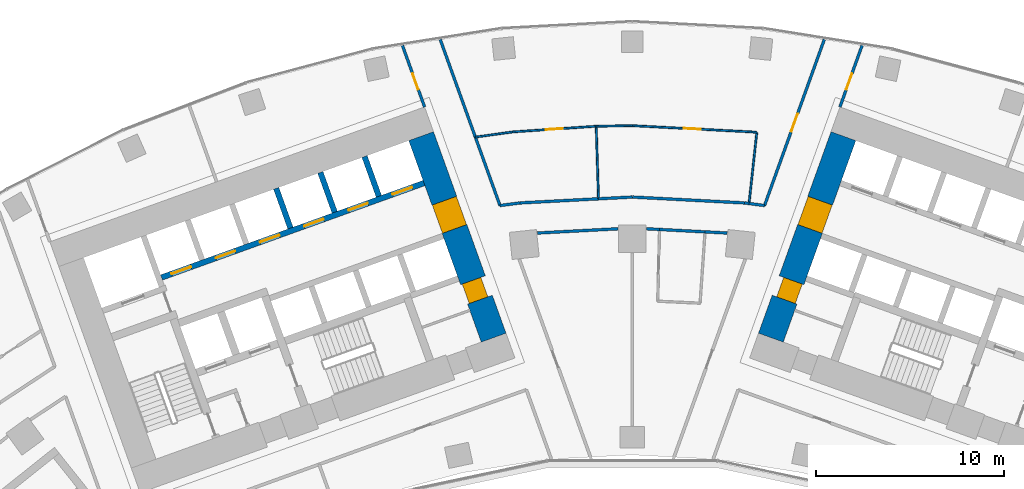
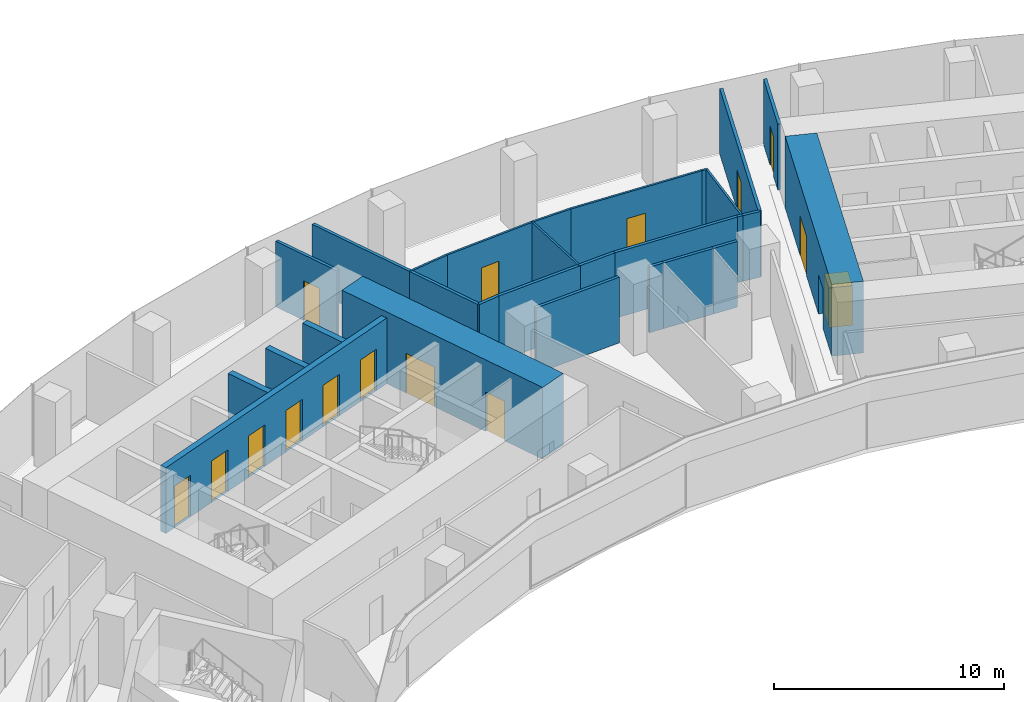
# One storey, part 16 of 21: 28 walls, 15 doors, 15 openings.
"""IFC4 building model written with IfcOpenShell, lengths in metres."""

from ifc_helpers import new_model, si_unit, direction, frame, frame_2d, origin, place, context, subcontext, project, spatial, rectangle, extrude, material, layer, layer_set, type_object, element, fill, save


model = new_model("IFC4")

# Units and contexts
model_context = context("Model", 3, precision=1e-05, world=origin(), true_north=direction((0.0, 1.0)))
body_context = subcontext(model_context, "Body", "Model", "MODEL_VIEW")
ifc_project = project(units=[si_unit("LENGTHUNIT", "METRE"), si_unit("AREAUNIT", "SQUARE_METRE"), si_unit("VOLUMEUNIT", "CUBIC_METRE"), si_unit("PLANEANGLEUNIT", "RADIAN"), si_unit("MASSUNIT", "GRAM", prefix="KILO")], contexts=[model_context])

# Site, building, storey
site_placement = place(None, origin())
site = spatial("IfcSite", under=ifc_project, at=site_placement, CompositionType="ELEMENT")
building_placement = place(site_placement, origin())
building = spatial("IfcBuilding", under=site, at=building_placement, Name="Stone Belt Terrace Tower", CompositionType="ELEMENT")
storey_placement = place(building_placement, frame((0.0, 0.0, 90.800048828125)))
storey = spatial("IfcBuildingStorey", under=building, at=storey_placement, Name="L21", CompositionType="ELEMENT", Elevation=90.800048828125)

# Wall, openings, doors
ifc_material_1 = material(Name="Concrete B80", Category="concrete")
ifc_layer_1 = layer(ifc_material_1, 1.39990234375)
ifc_layer_set_1 = layer_set([ifc_layer_1], Name="Core wall 1400 B80")
wall_type_1 = type_object("IfcWallType", Name="Core wall 1400 B80", PredefinedType="SHEAR", material=ifc_layer_set_1)
wall_1_placement = place(storey_placement, frame((-7.379150390625, 49.73974609375, 0.0), z_axis=(0.0, 0.0, 1.0), x_axis=(-0.338625431531, 0.940921259788, 0.0)))
wall_1 = element("IfcWall", 1, at=wall_1_placement, inside=storey, type_object=wall_type_1, Name="Core A wall end_b L21", PredefinedType="SHEAR", context=body_context, shape_type="SweptSolid", body=[
    extrude(rectangle(XDim=11.400146484375, YDim=1.39990234375, at=frame_2d((5.7001953125, 0.0))), origin(), (0.0, 0.0, 1.0), 3.800048828125),
])
opening_1_placement = place(wall_1_placement, frame((6.14990234375, 0.0, 0.0)))
opening_1 = element("IfcOpeningElement", 2, at=opening_1_placement, cuts=wall_1, Name="Opening L21-C02", PredefinedType="OPENING", context=body_context, shape_type="SweptSolid", body=[
    extrude(rectangle(XDim=1.60009765625, YDim=2.10009765625, at=frame_2d((0.800048828125, 1.050048828125))), frame((0.0, 0.7099609375, 0.0), z_axis=(0.0, -1.0, 0.0), x_axis=(1.0, 0.0, 0.0)), (0.0, 0.0, 1.0), 1.419921875),
])
opening_2_placement = place(wall_1_placement, frame((2.14990234375, 0.0, 0.0)))
opening_2 = element("IfcOpeningElement", 3, at=opening_2_placement, cuts=wall_1, Name="Opening L21-C08", PredefinedType="OPENING", context=body_context, shape_type="SweptSolid", body=[
    extrude(rectangle(XDim=1.10009765625, YDim=2.10009765625, at=frame_2d((0.550048828125, 1.050048828125))), frame((0.0, 0.7099609375, 0.0), z_axis=(0.0, -1.0, 0.0), x_axis=(1.0, 0.0, 0.0)), (0.0, 0.0, 1.0), 1.419921875),
])
ifc_material_2 = material(Name="Timber door leaf", Category="wood")
door_type_1 = type_object("IfcDoorType", Name="Core room door 1100", OperationType="SINGLE_SWING_LEFT", PredefinedType="DOOR", material=ifc_material_2)
door_1_placement = place(opening_2_placement, origin())
door_1 = element("IfcDoor", 4, at=door_1_placement, inside=storey, type_object=door_type_1, Name="Door to Accessible WC core A", OperationType="SINGLE_SWING_LEFT", OverallHeight=2.10009765625, OverallWidth=1.10009765625, PredefinedType="DOOR", context=body_context, shape_type="SweptSolid", body=[
    extrude(rectangle(XDim=1.10009765625, YDim=2.10009765625, at=frame_2d((0.550048828125, 1.050048828125))), frame((0.0, 0.60498046875, 0.0), z_axis=(0.0, -1.0, 0.0), x_axis=(1.0, 0.0, 0.0)), (0.0, 0.0, 1.0), 1.050048828125),
])
fill(opening_2, door_1)
ifc_material_3 = material(Name="Glazed aluminium door leaf", Category="aluminium")
door_type_2 = type_object("IfcDoorType", Name="Lift lobby entrance door 1600", OperationType="DOUBLE_DOOR_SINGLE_SWING", PredefinedType="DOOR", material=ifc_material_3)
door_2_placement = place(opening_1_placement, origin())
door_2 = element("IfcDoor", 5, at=door_2_placement, inside=storey, type_object=door_type_2, Name="Lift lobby entrance door core A", OperationType="DOUBLE_DOOR_SINGLE_SWING", OverallHeight=2.10009765625, OverallWidth=1.60009765625, PredefinedType="DOOR", context=body_context, shape_type="SweptSolid", body=[
    extrude(rectangle(XDim=1.60009765625, YDim=2.10009765625, at=frame_2d((0.800048828125, 1.050048828125))), frame((0.0, 0.68017578125, 0.0), z_axis=(0.0, -1.0, 0.0), x_axis=(1.0, 0.0, 0.0)), (0.0, 0.0, 1.0), 1.360107421875),
])
fill(opening_1, door_2)

wall_2_placement = place(storey_placement, frame((7.379150390625, 49.73974609375, 0.0), z_axis=(0.0, 0.0, 1.0), x_axis=(0.338625431531, 0.940921259788, 0.0)))
wall_2 = element("IfcWall", 6, at=wall_2_placement, inside=storey, type_object=wall_type_1, Name="Core B wall end_a L21", PredefinedType="SHEAR", context=body_context, shape_type="SweptSolid", body=[
    extrude(rectangle(XDim=11.400146484375, YDim=1.39990234375, at=frame_2d((5.7001953125, 0.0))), origin(), (0.0, 0.0, 1.0), 3.800048828125),
])
opening_3_placement = place(wall_2_placement, frame((6.14990234375, 0.0, 0.0)))
opening_3 = element("IfcOpeningElement", 7, at=opening_3_placement, cuts=wall_2, Name="Opening L21-C11", PredefinedType="OPENING", context=body_context, shape_type="SweptSolid", body=[
    extrude(rectangle(XDim=1.60009765625, YDim=2.10009765625, at=frame_2d((0.800048828125, 1.050048828125))), frame((0.0, 0.7099609375, 0.0), z_axis=(0.0, -1.0, 0.0), x_axis=(1.0, 0.0, 0.0)), (0.0, 0.0, 1.0), 1.419921875),
])
opening_4_placement = place(wall_2_placement, frame((2.14990234375, 0.0, 0.0)))
opening_4 = element("IfcOpeningElement", 8, at=opening_4_placement, cuts=wall_2, Name="Opening L21-C17", PredefinedType="OPENING", context=body_context, shape_type="SweptSolid", body=[
    extrude(rectangle(XDim=1.10009765625, YDim=2.10009765625, at=frame_2d((0.550048828125, 1.050048828125))), frame((0.0, 0.7099609375, 0.0), z_axis=(0.0, -1.0, 0.0), x_axis=(1.0, 0.0, 0.0)), (0.0, 0.0, 1.0), 1.419921875),
])
door_3_placement = place(opening_4_placement, origin())
door_3 = element("IfcDoor", 9, at=door_3_placement, inside=storey, type_object=door_type_1, Name="Door to Accessible WC core B", OperationType="SINGLE_SWING_RIGHT", OverallHeight=2.10009765625, OverallWidth=1.10009765625, PredefinedType="DOOR", context=body_context, shape_type="SweptSolid", body=[
    extrude(rectangle(XDim=1.10009765625, YDim=2.10009765625, at=frame_2d((0.550048828125, 1.050048828125))), frame((0.0, 0.44482421875, 0.0), z_axis=(0.0, -1.0, 0.0), x_axis=(1.0, 0.0, 0.0)), (0.0, 0.0, 1.0), 1.050048828125),
])
fill(opening_4, door_3)
door_4_placement = place(opening_3_placement, origin())
door_4 = element("IfcDoor", 10, at=door_4_placement, inside=storey, type_object=door_type_2, Name="Lift lobby entrance door core B", OperationType="DOUBLE_DOOR_SINGLE_SWING", OverallHeight=2.10009765625, OverallWidth=1.60009765625, PredefinedType="DOOR", context=body_context, shape_type="SweptSolid", body=[
    extrude(rectangle(XDim=1.60009765625, YDim=2.10009765625, at=frame_2d((0.800048828125, 1.050048828125))), frame((0.0, 0.68017578125, 0.0), z_axis=(0.0, -1.0, 0.0), x_axis=(1.0, 0.0, 0.0)), (0.0, 0.0, 1.0), 1.360107421875),
])
fill(opening_3, door_4)

ifc_layer_2 = layer(ifc_material_1, 0.300048828125)
ifc_layer_set_2 = layer_set([ifc_layer_2], Name="Lift shaft wall 300")
wall_type_2 = type_object("IfcWallType", Name="Lift shaft wall 300", PredefinedType="SHEAR", material=ifc_layer_set_2)
wall_3_placement = place(storey_placement, frame((-25.05810546875, 52.9423828125, 0.0), z_axis=(0.0, 0.0, 1.0), x_axis=(0.940918215764, 0.338633889685, 0.0)))
wall_3 = element("IfcWall", 11, at=wall_3_placement, inside=storey, type_object=wall_type_2, Name="Core A wall", PredefinedType="SHEAR", context=body_context, shape_type="SweptSolid", body=[
    extrude(rectangle(XDim=14.850341796875, YDim=0.300048828125, at=frame_2d((7.42529296875, 0.0))), origin(), (0.0, 0.0, 1.0), 3.47998046875),
])
opening_5_placement = place(wall_3_placement, frame((0.570068359375, 0.0, 0.0)))
opening_5 = element("IfcOpeningElement", 12, at=opening_5_placement, cuts=wall_3, Name="Opening L21-LD01", PredefinedType="OPENING", context=body_context, shape_type="SweptSolid", body=[
    extrude(rectangle(XDim=1.10009765625, YDim=2.199951171875, at=frame_2d((0.550048828125, 1.10009765625))), frame((0.0, 0.159912109375, 0.0), z_axis=(0.0, -1.0, 0.0), x_axis=(1.0, 0.0, 0.0)), (0.0, 0.0, 1.0), 0.320068359375),
])
opening_6_placement = place(wall_3_placement, frame((3.070068359375, 0.0, 0.0)))
opening_6 = element("IfcOpeningElement", 13, at=opening_6_placement, cuts=wall_3, Name="Opening L21-LD02", PredefinedType="OPENING", context=body_context, shape_type="SweptSolid", body=[
    extrude(rectangle(XDim=1.10009765625, YDim=2.199951171875, at=frame_2d((0.550048828125, 1.10009765625))), frame((0.0, 0.159912109375, 0.0), z_axis=(0.0, -1.0, 0.0), x_axis=(1.0, 0.0, 0.0)), (0.0, 0.0, 1.0), 0.320068359375),
])
opening_7_placement = place(wall_3_placement, frame((5.570068359375, 0.0, 0.0)))
opening_7 = element("IfcOpeningElement", 14, at=opening_7_placement, cuts=wall_3, Name="Opening L21-LD03", PredefinedType="OPENING", context=body_context, shape_type="SweptSolid", body=[
    extrude(rectangle(XDim=1.10009765625, YDim=2.199951171875, at=frame_2d((0.550048828125, 1.10009765625))), frame((0.0, 0.159912109375, 0.0), z_axis=(0.0, -1.0, 0.0), x_axis=(1.0, 0.0, 0.0)), (0.0, 0.0, 1.0), 0.320068359375),
])
opening_8_placement = place(wall_3_placement, frame((8.070068359375, 0.0, 0.0)))
opening_8 = element("IfcOpeningElement", 15, at=opening_8_placement, cuts=wall_3, Name="Opening L21-LD04", PredefinedType="OPENING", context=body_context, shape_type="SweptSolid", body=[
    extrude(rectangle(XDim=1.10009765625, YDim=2.199951171875, at=frame_2d((0.550048828125, 1.10009765625))), frame((0.0, 0.159912109375, 0.0), z_axis=(0.0, -1.0, 0.0), x_axis=(1.0, 0.0, 0.0)), (0.0, 0.0, 1.0), 0.320068359375),
])
opening_9_placement = place(wall_3_placement, frame((10.570068359375, 0.0, 0.0)))
opening_9 = element("IfcOpeningElement", 16, at=opening_9_placement, cuts=wall_3, Name="Opening L21-LD05", PredefinedType="OPENING", context=body_context, shape_type="SweptSolid", body=[
    extrude(rectangle(XDim=1.10009765625, YDim=2.199951171875, at=frame_2d((0.550048828125, 1.10009765625))), frame((0.0, 0.159912109375, 0.0), z_axis=(0.0, -1.0, 0.0), x_axis=(1.0, 0.0, 0.0)), (0.0, 0.0, 1.0), 0.320068359375),
])
opening_10_placement = place(wall_3_placement, frame((13.070068359375, 0.0, 0.0)))
opening_10 = element("IfcOpeningElement", 17, at=opening_10_placement, cuts=wall_3, Name="Opening L21-LD06", PredefinedType="OPENING", context=body_context, shape_type="SweptSolid", body=[
    extrude(rectangle(XDim=1.10009765625, YDim=2.199951171875, at=frame_2d((0.550048828125, 1.10009765625))), frame((0.0, 0.159912109375, 0.0), z_axis=(0.0, -1.0, 0.0), x_axis=(1.0, 0.0, 0.0)), (0.0, 0.0, 1.0), 0.320068359375),
])
ifc_material_4 = material(Name="Stainless steel door leaf", Category="steel")
door_type_3 = type_object("IfcDoorType", Name="Landing door 1100", OperationType="SLIDING_TO_LEFT", PredefinedType="DOOR", material=ifc_material_4)
door_5_placement = place(opening_5_placement, origin())
door_5 = element("IfcDoor", 18, at=door_5_placement, inside=storey, type_object=door_type_3, Name="Landing door LR1 core A", OperationType="SLIDING_TO_LEFT", OverallHeight=2.199951171875, OverallWidth=1.10009765625, PredefinedType="DOOR", context=body_context, shape_type="SweptSolid", body=[
    extrude(rectangle(XDim=1.10009765625, YDim=2.199951171875, at=frame_2d((0.550048828125, 1.10009765625))), frame((0.0, 0.02490234375, 0.0), z_axis=(0.0, -1.0, 0.0), x_axis=(1.0, 0.0, 0.0)), (0.0, 0.0, 1.0), 0.050048828125),
])
fill(opening_5, door_5)
door_6_placement = place(opening_6_placement, origin())
door_6 = element("IfcDoor", 19, at=door_6_placement, inside=storey, type_object=door_type_3, Name="Landing door LR2 core A", OperationType="SLIDING_TO_LEFT", OverallHeight=2.199951171875, OverallWidth=1.10009765625, PredefinedType="DOOR", context=body_context, shape_type="SweptSolid", body=[
    extrude(rectangle(XDim=1.10009765625, YDim=2.199951171875, at=frame_2d((0.550048828125, 1.10009765625))), frame((0.0, 0.02490234375, 0.0), z_axis=(0.0, -1.0, 0.0), x_axis=(1.0, 0.0, 0.0)), (0.0, 0.0, 1.0), 0.050048828125),
])
fill(opening_6, door_6)
door_7_placement = place(opening_7_placement, origin())
door_7 = element("IfcDoor", 20, at=door_7_placement, inside=storey, type_object=door_type_3, Name="Landing door LR3 core A", OperationType="SLIDING_TO_LEFT", OverallHeight=2.199951171875, OverallWidth=1.10009765625, PredefinedType="DOOR", context=body_context, shape_type="SweptSolid", body=[
    extrude(rectangle(XDim=1.10009765625, YDim=2.199951171875, at=frame_2d((0.550048828125, 1.10009765625))), frame((0.0, 0.02490234375, 0.0), z_axis=(0.0, -1.0, 0.0), x_axis=(1.0, 0.0, 0.0)), (0.0, 0.0, 1.0), 0.050048828125),
])
fill(opening_7, door_7)
door_8_placement = place(opening_8_placement, origin())
door_8 = element("IfcDoor", 21, at=door_8_placement, inside=storey, type_object=door_type_3, Name="Landing door LR4 core A", OperationType="SLIDING_TO_LEFT", OverallHeight=2.199951171875, OverallWidth=1.10009765625, PredefinedType="DOOR", context=body_context, shape_type="SweptSolid", body=[
    extrude(rectangle(XDim=1.10009765625, YDim=2.199951171875, at=frame_2d((0.550048828125, 1.10009765625))), frame((0.0, 0.02490234375, 0.0), z_axis=(0.0, -1.0, 0.0), x_axis=(1.0, 0.0, 0.0)), (0.0, 0.0, 1.0), 0.050048828125),
])
fill(opening_8, door_8)
door_9_placement = place(opening_9_placement, origin())
door_9 = element("IfcDoor", 22, at=door_9_placement, inside=storey, type_object=door_type_3, Name="Landing door LR5 core A", OperationType="SLIDING_TO_LEFT", OverallHeight=2.199951171875, OverallWidth=1.10009765625, PredefinedType="DOOR", context=body_context, shape_type="SweptSolid", body=[
    extrude(rectangle(XDim=1.10009765625, YDim=2.199951171875, at=frame_2d((0.550048828125, 1.10009765625))), frame((0.0, 0.02490234375, 0.0), z_axis=(0.0, -1.0, 0.0), x_axis=(1.0, 0.0, 0.0)), (0.0, 0.0, 1.0), 0.050048828125),
])
fill(opening_9, door_9)
door_10_placement = place(opening_10_placement, origin())
door_10 = element("IfcDoor", 23, at=door_10_placement, inside=storey, type_object=door_type_3, Name="Landing door LR6 core A", OperationType="SLIDING_TO_LEFT", OverallHeight=2.199951171875, OverallWidth=1.10009765625, PredefinedType="DOOR", context=body_context, shape_type="SweptSolid", body=[
    extrude(rectangle(XDim=1.10009765625, YDim=2.199951171875, at=frame_2d((0.550048828125, 1.10009765625))), frame((0.0, 0.02490234375, 0.0), z_axis=(0.0, -1.0, 0.0), x_axis=(1.0, 0.0, 0.0)), (0.0, 0.0, 1.0), 0.050048828125),
])
fill(opening_10, door_10)

# Walls
wall_4_placement = place(storey_placement, frame((-18.193115234375, 55.572509765625, 0.0), z_axis=(0.0, 0.0, 1.0), x_axis=(-0.338535034312, 0.940953787677, 0.0)))
element("IfcWall", 24, at=wall_4_placement, inside=storey, type_object=wall_type_2, Name="Core A wall", PredefinedType="SHEAR", context=body_context, shape_type="SweptSolid", body=[
    extrude(rectangle(XDim=2.25, YDim=0.300048828125, at=frame_2d((1.125, 0.0))), origin(), (0.0, 0.0, 1.0), 3.47998046875),
])
wall_5_placement = place(storey_placement, frame((-15.8408203125, 56.419189453125, 0.0), z_axis=(0.0, 0.0, 1.0), x_axis=(-0.338569601369, 0.940941350472, 0.0)))
element("IfcWall", 25, at=wall_5_placement, inside=storey, type_object=wall_type_2, Name="Core A wall", PredefinedType="SHEAR", context=body_context, shape_type="SweptSolid", body=[
    extrude(rectangle(XDim=2.249755859375, YDim=0.300048828125, at=frame_2d((1.125, 0.0))), origin(), (0.0, 0.0, 1.0), 3.47998046875),
])
wall_6_placement = place(storey_placement, frame((-13.48828125, 57.265625, 0.0), z_axis=(0.0, 0.0, 1.0), x_axis=(-0.338631098537, 0.940919220286, 0.0)))
element("IfcWall", 26, at=wall_6_placement, inside=storey, type_object=wall_type_2, Name="Core A wall", PredefinedType="SHEAR", context=body_context, shape_type="SweptSolid", body=[
    extrude(rectangle(XDim=2.250244140625, YDim=0.300048828125, at=frame_2d((1.125, 0.0))), origin(), (0.0, 0.0, 1.0), 3.47998046875),
])

# Wall, opening, door
ifc_material_5 = material(Name="Gypsum board partition")
ifc_layer_3 = layer(ifc_material_5, 0.10009765625)
ifc_layer_set_3 = layer_set([ifc_layer_3], Name="PARTITION 100")
wall_type_3 = type_object("IfcWallType", Name="PARTITION 100", PredefinedType="PARTITIONING", material=ifc_layer_set_3)
wall_7_placement = place(storey_placement, frame((-1.9189453125, 60.9951171875, 0.0), z_axis=(0.0, 0.0, 1.0), x_axis=(-0.997682007636, -0.068048597631, 0.0)))
wall_7 = element("IfcWall", 27, at=wall_7_placement, inside=storey, type_object=wall_type_3, Name="L21/wall/i093", PredefinedType="PARTITIONING", context=body_context, shape_type="SweptSolid", body=[
    extrude(rectangle(XDim=4.47021484375, YDim=0.10009765625, at=frame_2d((2.235107421875, 0.0))), origin(), (0.0, 0.0, 1.0), 3.47998046875),
])
opening_11_placement = place(wall_7_placement, frame((1.78515625, 0.0, 0.0)))
opening_11 = element("IfcOpeningElement", 28, at=opening_11_placement, cuts=wall_7, Name="Opening D-B2-30", PredefinedType="OPENING", context=body_context, shape_type="SweptSolid", body=[
    extrude(rectangle(XDim=0.89990234375, YDim=2.10009765625, at=frame_2d((0.449951171875, 1.050048828125))), frame((0.0, 0.06005859375, 0.0), z_axis=(0.0, -1.0, 0.0), x_axis=(1.0, 0.0, 0.0)), (0.0, 0.0, 1.0), 0.1201171875),
])
door_type_4 = type_object("IfcDoorType", Name="OFFICE DOOR 900 X 2100", OperationType="NOTDEFINED", PredefinedType="DOOR", material=ifc_material_2)
door_11_placement = place(opening_11_placement, origin())
door_11 = element("IfcDoor", 29, at=door_11_placement, inside=storey, type_object=door_type_4, Name="L21/door/i30", OperationType="SINGLE_SWING_RIGHT", OverallHeight=2.10009765625, OverallWidth=0.89990234375, PredefinedType="DOOR", context=body_context, shape_type="SweptSolid", body=[
    extrude(rectangle(XDim=0.89990234375, YDim=2.10009765625, at=frame_2d((0.449951171875, 1.050048828125))), frame((0.0, 0.02490234375, 0.0), z_axis=(0.0, -1.0, 0.0), x_axis=(1.0, 0.0, 0.0)), (0.0, 0.0, 1.0), 0.050048828125),
])
fill(opening_11, door_11)

# Walls
wall_8_placement = place(storey_placement, frame((-6.37890625, 60.69091796875, 0.0), z_axis=(0.0, 0.0, 1.0), x_axis=(-0.990433739202, -0.137989159904, 0.0)))
element("IfcWall", 30, at=wall_8_placement, inside=storey, type_object=wall_type_3, Name="L21/wall/i094", PredefinedType="PARTITIONING", context=body_context, shape_type="SweptSolid", body=[
    extrude(rectangle(XDim=1.9921875, YDim=0.10009765625, at=frame_2d((0.99609375, 0.0))), origin(), (0.0, 0.0, 1.0), 3.47998046875),
])
wall_9_placement = place(storey_placement, frame((6.216064453125, 56.881103515625, 0.0), z_axis=(0.0, 0.0, 1.0), x_axis=(0.108487856499, 0.994097774362, 0.0)))
element("IfcWall", 31, at=wall_9_placement, inside=storey, type_object=wall_type_3, Name="L21/wall/i095", PredefinedType="PARTITIONING", context=body_context, shape_type="SweptSolid", body=[
    extrude(rectangle(XDim=3.805419921875, YDim=0.10009765625, at=frame_2d((1.90283203125, 0.0))), origin(), (0.0, 0.0, 1.0), 3.47998046875),
])
wall_10_placement = place(storey_placement, frame((6.62890625, 60.6640625, 0.0), z_axis=(0.0, 0.0, 1.0), x_axis=(-0.994279729671, 0.106807392836, 0.0)))
element("IfcWall", 32, at=wall_10_placement, inside=storey, type_object=wall_type_3, Name="L21/wall/i096", PredefinedType="PARTITIONING", context=body_context, shape_type="SweptSolid", body=[
    extrude(rectangle(XDim=0.25146484375, YDim=0.10009765625, at=frame_2d((0.125732421875, 0.0))), origin(), (0.0, 0.0, 1.0), 3.47998046875),
])

# Wall, opening, door
wall_11_placement = place(storey_placement, frame((6.37890625, 60.69091796875, 0.0), z_axis=(0.0, 0.0, 1.0), x_axis=(-0.998632151247, 0.052286006694, 0.0)))
wall_11 = element("IfcWall", 33, at=wall_11_placement, inside=storey, type_object=wall_type_3, Name="L21/wall/i097", PredefinedType="PARTITIONING", context=body_context, shape_type="SweptSolid", body=[
    extrude(rectangle(XDim=6.3876953125, YDim=0.10009765625, at=frame_2d((3.19384765625, 0.0))), origin(), (0.0, 0.0, 1.0), 3.47998046875),
])
opening_12_placement = place(wall_11_placement, frame((2.743896484375, 0.0, 0.0)))
opening_12 = element("IfcOpeningElement", 34, at=opening_12_placement, cuts=wall_11, Name="Opening D-B2-31", PredefinedType="OPENING", context=body_context, shape_type="SweptSolid", body=[
    extrude(rectangle(XDim=0.89990234375, YDim=2.10009765625, at=frame_2d((0.449951171875, 1.050048828125))), frame((0.0, 0.06005859375, 0.0), z_axis=(0.0, -1.0, 0.0), x_axis=(1.0, 0.0, 0.0)), (0.0, 0.0, 1.0), 0.1201171875),
])
door_12_placement = place(opening_12_placement, origin())
door_12 = element("IfcDoor", 35, at=door_12_placement, inside=storey, type_object=door_type_4, Name="L21/door/i31", OperationType="SINGLE_SWING_RIGHT", OverallHeight=2.10009765625, OverallWidth=0.89990234375, PredefinedType="DOOR", context=body_context, shape_type="SweptSolid", body=[
    extrude(rectangle(XDim=0.89990234375, YDim=2.10009765625, at=frame_2d((0.449951171875, 1.050048828125))), frame((0.0, 0.02490234375, 0.0), z_axis=(0.0, -1.0, 0.0), x_axis=(1.0, 0.0, 0.0)), (0.0, 0.0, 1.0), 0.050048828125),
])
fill(opening_12, door_12)

# Walls
wall_12_placement = place(storey_placement, frame((0.0, 61.02490234375, 0.0), z_axis=(0.0, 0.0, 1.0), x_axis=(-0.999879561286, -0.015519759094, 0.0)))
element("IfcWall", 36, at=wall_12_placement, inside=storey, type_object=wall_type_3, Name="L21/wall/i098", PredefinedType="PARTITIONING", context=body_context, shape_type="SweptSolid", body=[
    extrude(rectangle(XDim=1.919189453125, YDim=0.10009765625, at=frame_2d((0.95947265625, 0.0))), origin(), (0.0, 0.0, 1.0), 3.47998046875),
])
wall_13_placement = place(storey_placement, frame((-1.9189453125, 60.9951171875, 0.0), z_axis=(0.0, 0.0, 1.0), x_axis=(0.03151274226, -0.999503350207, 0.0)))
element("IfcWall", 37, at=wall_13_placement, inside=storey, type_object=wall_type_3, Name="L21/wall/i099", PredefinedType="PARTITIONING", context=body_context, shape_type="SweptSolid", body=[
    extrude(rectangle(XDim=3.865966796875, YDim=0.10009765625, at=frame_2d((1.93310546875, 0.0))), origin(), (0.0, 0.0, 1.0), 3.47998046875),
])

# Wall, opening, door
ifc_layer_4 = layer(ifc_material_5, 0.14990234375)
ifc_layer_set_4 = layer_set([ifc_layer_4], Name="PARTITION 150 EI 60")
wall_type_4 = type_object("IfcWallType", Name="PARTITION 150 EI 60", PredefinedType="PARTITIONING", material=ifc_layer_set_4)
wall_14_placement = place(storey_placement, frame((-11.054931640625, 62.02099609375, 0.0), z_axis=(0.0, 0.0, 1.0), x_axis=(-0.338853532575, 0.94083913793, 0.0)))
wall_14 = element("IfcWall", 38, at=wall_14_placement, inside=storey, type_object=wall_type_4, Name="L21/wall/i008", PredefinedType="PARTITIONING", context=body_context, shape_type="SweptSolid", body=[
    extrude(rectangle(XDim=3.482177734375, YDim=0.14990234375, at=frame_2d((1.7412109375, 0.0))), origin(), (0.0, 0.0, 1.0), 3.47998046875),
])
opening_13_placement = place(wall_14_placement, frame((0.99365234375, 0.0, 0.0)))
opening_13 = element("IfcOpeningElement", 39, at=opening_13_placement, cuts=wall_14, Name="Opening D-B2-04", PredefinedType="OPENING", context=body_context, shape_type="SweptSolid", body=[
    extrude(rectangle(XDim=0.89990234375, YDim=2.10009765625, at=frame_2d((0.449951171875, 1.050048828125))), frame((0.0, 0.0849609375, 0.0), z_axis=(0.0, -1.0, 0.0), x_axis=(1.0, 0.0, 0.0)), (0.0, 0.0, 1.0), 0.169921875),
])
door_13_placement = place(opening_13_placement, origin())
door_13 = element("IfcDoor", 40, at=door_13_placement, inside=storey, type_object=door_type_4, Name="L21/door/i04", OperationType="SINGLE_SWING_LEFT", OverallHeight=2.10009765625, OverallWidth=0.89990234375, PredefinedType="DOOR", context=body_context, shape_type="SweptSolid", body=[
    extrude(rectangle(XDim=0.89990234375, YDim=2.10009765625, at=frame_2d((0.449951171875, 1.050048828125))), frame((0.0, 0.02490234375, 0.0), z_axis=(0.0, -1.0, 0.0), x_axis=(1.0, 0.0, 0.0)), (0.0, 0.0, 1.0), 0.050048828125),
])
fill(opening_13, door_13)

# Walls
wall_15_placement = place(storey_placement, frame((-10.223876953125, 65.6162109375, 0.0), z_axis=(0.0, 0.0, 1.0), x_axis=(0.338641346264, -0.940915532128, 0.0)))
element("IfcWall", 41, at=wall_15_placement, inside=storey, type_object=wall_type_4, Name="L21/wall/i010", PredefinedType="PARTITIONING", context=body_context, shape_type="SweptSolid", body=[
    extrude(rectangle(XDim=5.533203125, YDim=0.14990234375, at=frame_2d((2.7666015625, 0.0))), origin(), (0.0, 0.0, 1.0), 3.47998046875),
])
wall_16_placement = place(storey_placement, frame((-8.35400390625, 60.422119140625, 0.0), z_axis=(0.0, 0.0, 1.0), x_axis=(0.338521378742, -0.940958700547, 0.0)))
element("IfcWall", 42, at=wall_16_placement, inside=storey, type_object=wall_type_4, Name="L21/wall/i011", PredefinedType="PARTITIONING", context=body_context, shape_type="SweptSolid", body=[
    extrude(rectangle(XDim=3.88427734375, YDim=0.14990234375, at=frame_2d((1.942138671875, 0.0))), origin(), (0.0, 0.0, 1.0), 3.47998046875),
])

# Wall, opening, door
wall_17_placement = place(storey_placement, frame((12.23486328125, 65.297119140625, 0.0), z_axis=(0.0, 0.0, 1.0), x_axis=(-0.338853532575, -0.94083913793, 0.0)))
wall_17 = element("IfcWall", 43, at=wall_17_placement, inside=storey, type_object=wall_type_4, Name="L21/wall/i017", PredefinedType="PARTITIONING", context=body_context, shape_type="SweptSolid", body=[
    extrude(rectangle(XDim=3.482177734375, YDim=0.14990234375, at=frame_2d((1.7412109375, 0.0))), origin(), (0.0, 0.0, 1.0), 3.47998046875),
])
opening_14_placement = place(wall_17_placement, frame((1.58837890625, 0.0, 0.0)))
opening_14 = element("IfcOpeningElement", 44, at=opening_14_placement, cuts=wall_17, Name="Opening D-B2-07", PredefinedType="OPENING", context=body_context, shape_type="SweptSolid", body=[
    extrude(rectangle(XDim=0.89990234375, YDim=2.10009765625, at=frame_2d((0.449951171875, 1.050048828125))), frame((0.0, 0.0849609375, 0.0), z_axis=(0.0, -1.0, 0.0), x_axis=(1.0, 0.0, 0.0)), (0.0, 0.0, 1.0), 0.169921875),
])
door_14_placement = place(opening_14_placement, origin())
door_14 = element("IfcDoor", 45, at=door_14_placement, inside=storey, type_object=door_type_4, Name="L21/door/i07", OperationType="SINGLE_SWING_RIGHT", OverallHeight=2.10009765625, OverallWidth=0.89990234375, PredefinedType="DOOR", context=body_context, shape_type="SweptSolid", body=[
    extrude(rectangle(XDim=0.89990234375, YDim=2.10009765625, at=frame_2d((0.449951171875, 1.050048828125))), frame((0.0, 0.02490234375, 0.0), z_axis=(0.0, -1.0, 0.0), x_axis=(1.0, 0.0, 0.0)), (0.0, 0.0, 1.0), 0.050048828125),
])
fill(opening_14, door_14)

wall_18_placement = place(storey_placement, frame((7.0390625, 56.76708984375, 0.0), z_axis=(0.0, 0.0, 1.0), x_axis=(0.338637655092, 0.940916860596, 0.0)))
wall_18 = element("IfcWall", 46, at=wall_18_placement, inside=storey, type_object=wall_type_4, Name="L21/wall/i019", PredefinedType="PARTITIONING", context=body_context, shape_type="SweptSolid", body=[
    extrude(rectangle(XDim=9.40478515625, YDim=0.14990234375, at=frame_2d((4.702392578125, 0.0))), origin(), (0.0, 0.0, 1.0), 3.47998046875),
])
opening_15_placement = place(wall_18_placement, frame((4.202392578125, 0.0, 0.0)))
opening_15 = element("IfcOpeningElement", 47, at=opening_15_placement, cuts=wall_18, Name="Opening D-B2-29", PredefinedType="OPENING", context=body_context, shape_type="SweptSolid", body=[
    extrude(rectangle(XDim=1.0, YDim=2.10009765625, at=frame_2d((0.5, 1.050048828125))), frame((0.0, 0.0849609375, 0.0), z_axis=(0.0, -1.0, 0.0), x_axis=(1.0, 0.0, 0.0)), (0.0, 0.0, 1.0), 0.169921875),
])
ifc_material_6 = material(Name="Timber fire door leaf", Category="wood")
door_type_5 = type_object("IfcDoorType", Name="TENANCY ENTRANCE DOOR 1000 X 2100", OperationType="NOTDEFINED", PredefinedType="DOOR", material=ifc_material_6)
door_15_placement = place(opening_15_placement, origin())
door_15 = element("IfcDoor", 48, at=door_15_placement, inside=storey, type_object=door_type_5, Name="L21/door/i29", OperationType="SINGLE_SWING_RIGHT", OverallHeight=2.10009765625, OverallWidth=1.0, PredefinedType="DOOR", context=body_context, shape_type="SweptSolid", body=[
    extrude(rectangle(XDim=1.0, YDim=2.10009765625, at=frame_2d((0.5, 1.050048828125))), frame((0.0, 0.02490234375, 0.0), z_axis=(0.0, -1.0, 0.0), x_axis=(1.0, 0.0, 0.0)), (0.0, 0.0, 1.0), 0.050048828125),
])
fill(opening_15, door_15)

# Walls
wall_19_placement = place(storey_placement, frame((-0.7548828125, 55.535400390625, 0.0), z_axis=(0.0, 0.0, 1.0), x_axis=(-0.998635163173, -0.052228448909, 0.0)))
element("IfcWall", 49, at=wall_19_placement, inside=storey, type_object=wall_type_4, Name="L21/wall/i079", PredefinedType="PARTITIONING", context=body_context, shape_type="SweptSolid", body=[
    extrude(rectangle(XDim=4.30517578125, YDim=0.14990234375, at=frame_2d((2.152587890625, 0.0))), origin(), (0.0, 0.0, 1.0), 3.47998046875),
])
wall_20_placement = place(storey_placement, frame((1.4599609375, 55.4990234375, 0.0), z_axis=(0.0, 0.0, 1.0), x_axis=(-0.998653890023, 0.051869142487, 0.0)))
element("IfcWall", 50, at=wall_20_placement, inside=storey, type_object=wall_type_4, Name="L21/wall/i080", PredefinedType="PARTITIONING", context=body_context, shape_type="SweptSolid", body=[
    extrude(rectangle(XDim=0.7060546875, YDim=0.14990234375, at=frame_2d((0.35302734375, 0.0))), origin(), (0.0, 0.0, 1.0), 3.47998046875),
])
wall_21_placement = place(storey_placement, frame((5.05419921875, 55.310302734375, 0.0), z_axis=(0.0, 0.0, 1.0), x_axis=(-0.998644969233, 0.052040613227, 0.0)))
element("IfcWall", 51, at=wall_21_placement, inside=storey, type_object=wall_type_4, Name="L21/wall/i081", PredefinedType="PARTITIONING", context=body_context, shape_type="SweptSolid", body=[
    extrude(rectangle(XDim=1.18701171875, YDim=0.14990234375, at=frame_2d((0.593505859375, 0.0))), origin(), (0.0, 0.0, 1.0), 3.47998046875),
])
wall_22_placement = place(storey_placement, frame((3.881103515625, 55.3720703125, 0.0), z_axis=(0.0, 0.0, 1.0), x_axis=(-0.998641532473, 0.052106521863, 0.0)))
element("IfcWall", 52, at=wall_22_placement, inside=storey, type_object=wall_type_4, Name="L21/wall/i082", PredefinedType="PARTITIONING", context=body_context, shape_type="SweptSolid", body=[
    extrude(rectangle(XDim=2.4365234375, YDim=0.14990234375, at=frame_2d((1.21826171875, 0.0))), origin(), (0.0, 0.0, 1.0), 3.47998046875),
])
wall_23_placement = place(storey_placement, frame((6.2099609375, 56.882080078125, 0.0), z_axis=(0.0, 0.0, 1.0), x_axis=(0.991487969829, -0.130198332113, 0.0)))
element("IfcWall", 53, at=wall_23_placement, inside=storey, type_object=wall_type_4, Name="L21/wall/i083", PredefinedType="PARTITIONING", context=body_context, shape_type="SweptSolid", body=[
    extrude(rectangle(XDim=0.838134765625, YDim=0.14990234375, at=frame_2d((0.4189453125, 0.0))), origin(), (0.0, 0.0, 1.0), 3.47998046875),
])
wall_24_placement = place(storey_placement, frame((-7.041015625, 56.77294921875, 0.0), z_axis=(0.0, 0.0, 1.0), x_axis=(0.991477617634, 0.130277142013, 0.0)))
element("IfcWall", 54, at=wall_24_placement, inside=storey, type_object=wall_type_4, Name="L21/wall/i084", PredefinedType="PARTITIONING", context=body_context, shape_type="SweptSolid", body=[
    extrude(rectangle(XDim=1.068115234375, YDim=0.14990234375, at=frame_2d((0.5341796875, 0.0))), origin(), (0.0, 0.0, 1.0), 3.47998046875),
])
wall_25_placement = place(storey_placement, frame((-5.98193359375, 56.912109375, 0.0), z_axis=(0.0, 0.0, 1.0), x_axis=(0.998637525461, 0.052183261117, 0.0)))
element("IfcWall", 55, at=wall_25_placement, inside=storey, type_object=wall_type_4, Name="L21/wall/i085", PredefinedType="PARTITIONING", context=body_context, shape_type="SweptSolid", body=[
    extrude(rectangle(XDim=4.196533203125, YDim=0.14990234375, at=frame_2d((2.09814453125, 0.0))), origin(), (0.0, 0.0, 1.0), 3.47998046875),
])
wall_26_placement = place(storey_placement, frame((-1.802978515625, 57.131103515625, 0.0), z_axis=(0.0, 0.0, 1.0), x_axis=(0.998643854414, 0.052062001889, 0.0)))
element("IfcWall", 56, at=wall_26_placement, inside=storey, type_object=wall_type_4, Name="L21/wall/i086", PredefinedType="PARTITIONING", context=body_context, shape_type="SweptSolid", body=[
    extrude(rectangle(XDim=1.805419921875, YDim=0.14990234375, at=frame_2d((0.90283203125, 0.0))), origin(), (0.0, 0.0, 1.0), 3.47998046875),
])
wall_27_placement = place(storey_placement, frame((0.0, 57.22509765625, 0.0), z_axis=(0.0, 0.0, 1.0), x_axis=(0.998633994648, -0.052250786921, 0.0)))
element("IfcWall", 57, at=wall_27_placement, inside=storey, type_object=wall_type_4, Name="L21/wall/i087", PredefinedType="PARTITIONING", context=body_context, shape_type="SweptSolid", body=[
    extrude(rectangle(XDim=5.990234375, YDim=0.14990234375, at=frame_2d((2.9951171875, 0.0))), origin(), (0.0, 0.0, 1.0), 3.47998046875),
])
wall_28_placement = place(storey_placement, frame((5.98193359375, 56.912109375, 0.0), z_axis=(0.0, 0.0, 1.0), x_axis=(0.991104190681, -0.133088253479, 0.0)))
element("IfcWall", 58, at=wall_28_placement, inside=storey, type_object=wall_type_4, Name="L21/wall/i088", PredefinedType="PARTITIONING", context=body_context, shape_type="SweptSolid", body=[
    extrude(rectangle(XDim=0.2421875, YDim=0.14990234375, at=frame_2d((0.12109375, 0.0))), origin(), (0.0, 0.0, 1.0), 3.47998046875),
])

save(model, "model.ifc")
